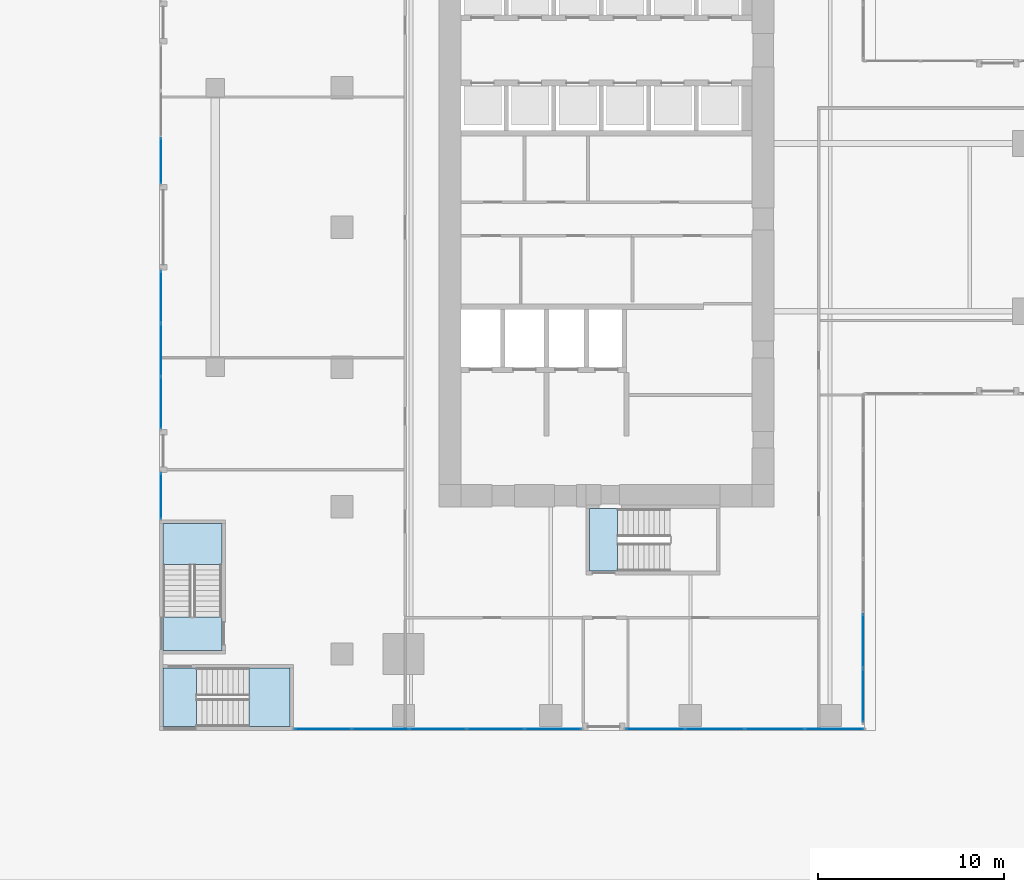
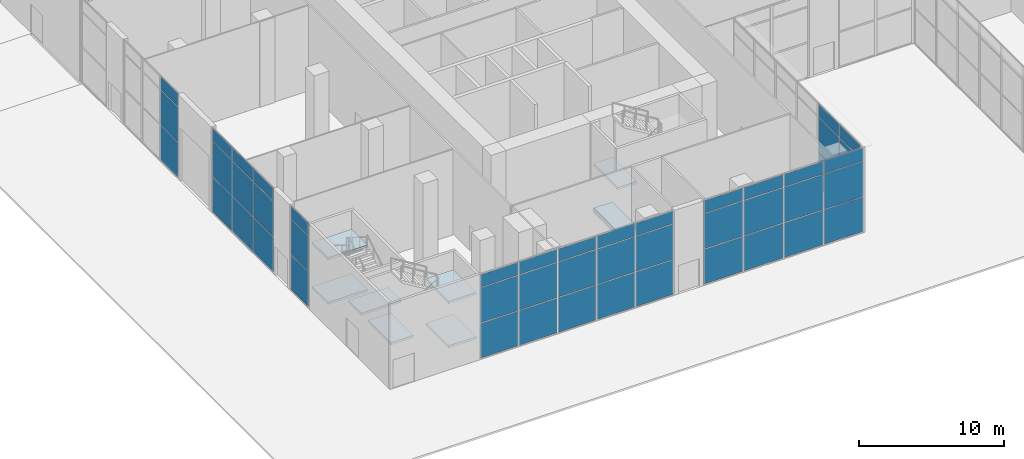
# One storey, part 31 of 52: 48 plates, 8 slabs, 9 elements without a shape of their own.
"""IFC4 building model written with IfcOpenShell, lengths in metres."""

from ifc_helpers import new_model, si_unit, direction, frame, origin, origin_2d, place, context, subcontext, project, spatial, polyline, rectangle, outline, extrude, source, transform, mapped, material, layer, layer_set, type_object, element, aggregate, save


model = new_model("IFC4")

# Units and contexts
model_context = context("Model", 3, precision=1e-05, world=origin(), true_north=direction((0.0, 1.0)))
body_context = subcontext(model_context, "Body", "Model", "MODEL_VIEW")
ifc_project = project(units=[si_unit("LENGTHUNIT", "METRE"), si_unit("AREAUNIT", "SQUARE_METRE"), si_unit("VOLUMEUNIT", "CUBIC_METRE"), si_unit("PLANEANGLEUNIT", "RADIAN"), si_unit("MASSUNIT", "GRAM", prefix="KILO")], contexts=[model_context])

# Site, building, storey
site_placement = place(None, origin())
site = spatial("IfcSite", under=ifc_project, at=site_placement, CompositionType="ELEMENT")
building_placement = place(site_placement, origin())
building = spatial("IfcBuilding", under=site, at=building_placement, Name="Khomas Fold Tower", CompositionType="ELEMENT")
storey_placement = place(building_placement, origin())
storey = spatial("IfcBuildingStorey", under=building, at=storey_placement, Name="L00", CompositionType="ELEMENT", Elevation=0.0)

# Curtain wall, plates
ifc_material_1 = material(Name="Aluminium framed double glazing", Category="aluminium")
curtain_wall_type = type_object("IfcCurtainWallType", Name="Shopfront glazing PD-CW", PredefinedType="NOTDEFINED", material=ifc_material_1)
curtain_wall_1_placement = place(storey_placement, origin())
curtain_wall_1 = element("IfcCurtainWall", 1, at=curtain_wall_1_placement, inside=storey, type_object=curtain_wall_type, Name="Podium shopfront run", PredefinedType="NOTDEFINED")
ifc_material_2 = material(Name="Double glazed unit")
ifc_layer_1 = layer(ifc_material_2, 0.031982421875)
ifc_layer_set_1 = layer_set([ifc_layer_1], Name="Double glazed unit")
plate_type = type_object("IfcPlateType", Name="Shopfront glazing panel PD-CW-P", PredefinedType="CURTAIN_PANEL", material=ifc_layer_set_1)
shared_shape_1 = source(origin(), body_context, "Body", "SweptSolid", [
    extrude(rectangle(XDim=2.4267578125, YDim=0.031982421875, at=origin_2d()), origin(), (0.0, 0.0, 1.0), 2.909912109375),
])
plate_1_placement = place(storey_placement, frame((-8.919921875, 30.5732421875, 0.06005859375), z_axis=(0.0, 0.0, 1.0), x_axis=(0.0, -1.0, 0.0)))
plate_1 = element("IfcPlate", 2, at=plate_1_placement, type_object=plate_type, Name="PD-CW panel 3.1", PredefinedType="CURTAIN_PANEL", context=body_context, shape_type="MappedRepresentation", body=[
    mapped(shared_shape_1, transform((0.0, 0.0, 0.0))),
])
shared_shape_2 = source(origin(), body_context, "Body", "SweptSolid", [
    extrude(rectangle(XDim=2.4267578125, YDim=0.031982421875, at=origin_2d()), origin(), (0.0, 0.0, 1.0), 2.93994140625),
])
plate_2_placement = place(storey_placement, frame((-8.919921875, 30.5732421875, 3.030029296875), z_axis=(0.0, 0.0, 1.0), x_axis=(0.0, -1.0, 0.0)))
plate_2 = element("IfcPlate", 3, at=plate_2_placement, type_object=plate_type, Name="PD-CW panel 3.2", PredefinedType="CURTAIN_PANEL", context=body_context, shape_type="MappedRepresentation", body=[
    mapped(shared_shape_2, transform((0.0, 0.0, 0.0))),
])
shared_shape_3 = source(origin(), body_context, "Body", "SweptSolid", [
    extrude(rectangle(XDim=2.4267578125, YDim=0.031982421875, at=origin_2d()), origin(), (0.0, 0.0, 1.0), 1.06005859375),
])
plate_3_placement = place(storey_placement, frame((-8.919921875, 30.5732421875, 6.030029296875), z_axis=(0.0, 0.0, 1.0), x_axis=(0.0, -1.0, 0.0)))
plate_3 = element("IfcPlate", 4, at=plate_3_placement, type_object=plate_type, Name="PD-CW panel 3.3", PredefinedType="CURTAIN_PANEL", context=body_context, shape_type="MappedRepresentation", body=[
    mapped(shared_shape_3, transform((0.0, 0.0, 0.0))),
])
aggregate(curtain_wall_1, [plate_1, plate_2, plate_3])

curtain_wall_2_placement = place(storey_placement, origin())
curtain_wall_2 = element("IfcCurtainWall", 5, at=curtain_wall_2_placement, inside=storey, type_object=curtain_wall_type, Name="Podium shopfront run", PredefinedType="NOTDEFINED")
shared_shape_4 = source(origin(), body_context, "Body", "SweptSolid", [
    extrude(rectangle(XDim=2.760009765625, YDim=0.031982421875, at=origin_2d()), origin(), (0.0, 0.0, 1.0), 2.909912109375),
])
plate_4_placement = place(storey_placement, frame((-8.919921875, 23.260009765625, 0.06005859375), z_axis=(0.0, 0.0, 1.0), x_axis=(0.0, -1.0, 0.0)))
plate_4 = element("IfcPlate", 6, at=plate_4_placement, type_object=plate_type, Name="PD-CW panel 1.1", PredefinedType="CURTAIN_PANEL", context=body_context, shape_type="MappedRepresentation", body=[
    mapped(shared_shape_4, transform((0.0, 0.0, 0.0))),
])
plate_5_placement = place(storey_placement, frame((-8.919921875, 17.590087890625, 0.06005859375), z_axis=(0.0, 0.0, 1.0), x_axis=(0.0, -1.0, 0.0)))
plate_5 = element("IfcPlate", 7, at=plate_5_placement, type_object=plate_type, Name="PD-CW panel 3.1", PredefinedType="CURTAIN_PANEL", context=body_context, shape_type="MappedRepresentation", body=[
    mapped(shared_shape_4, transform((0.0, 0.0, 0.0))),
])
shared_shape_5 = source(origin(), body_context, "Body", "SweptSolid", [
    extrude(rectangle(XDim=2.760009765625, YDim=0.031982421875, at=origin_2d()), origin(), (0.0, 0.0, 1.0), 2.93994140625),
])
plate_6_placement = place(storey_placement, frame((-8.919921875, 23.260009765625, 3.030029296875), z_axis=(0.0, 0.0, 1.0), x_axis=(0.0, -1.0, 0.0)))
plate_6 = element("IfcPlate", 8, at=plate_6_placement, type_object=plate_type, Name="PD-CW panel 1.2", PredefinedType="CURTAIN_PANEL", context=body_context, shape_type="MappedRepresentation", body=[
    mapped(shared_shape_5, transform((0.0, 0.0, 0.0))),
])
plate_7_placement = place(storey_placement, frame((-8.919921875, 17.590087890625, 3.030029296875), z_axis=(0.0, 0.0, 1.0), x_axis=(0.0, -1.0, 0.0)))
plate_7 = element("IfcPlate", 9, at=plate_7_placement, type_object=plate_type, Name="PD-CW panel 3.2", PredefinedType="CURTAIN_PANEL", context=body_context, shape_type="MappedRepresentation", body=[
    mapped(shared_shape_5, transform((0.0, 0.0, 0.0))),
])
shared_shape_6 = source(origin(), body_context, "Body", "SweptSolid", [
    extrude(rectangle(XDim=2.760009765625, YDim=0.031982421875, at=origin_2d()), origin(), (0.0, 0.0, 1.0), 1.06005859375),
])
plate_8_placement = place(storey_placement, frame((-8.919921875, 23.260009765625, 6.030029296875), z_axis=(0.0, 0.0, 1.0), x_axis=(0.0, -1.0, 0.0)))
plate_8 = element("IfcPlate", 10, at=plate_8_placement, type_object=plate_type, Name="PD-CW panel 1.3", PredefinedType="CURTAIN_PANEL", context=body_context, shape_type="MappedRepresentation", body=[
    mapped(shared_shape_6, transform((0.0, 0.0, 0.0))),
])
plate_9_placement = place(storey_placement, frame((-8.919921875, 17.590087890625, 6.030029296875), z_axis=(0.0, 0.0, 1.0), x_axis=(0.0, -1.0, 0.0)))
plate_9 = element("IfcPlate", 11, at=plate_9_placement, type_object=plate_type, Name="PD-CW panel 3.3", PredefinedType="CURTAIN_PANEL", context=body_context, shape_type="MappedRepresentation", body=[
    mapped(shared_shape_6, transform((0.0, 0.0, 0.0))),
])
shared_shape_7 = source(origin(), body_context, "Body", "SweptSolid", [
    extrude(rectangle(XDim=2.7900390625, YDim=0.031982421875, at=origin_2d()), origin(), (0.0, 0.0, 1.0), 2.909912109375),
])
plate_10_placement = place(storey_placement, frame((-8.919921875, 20.425048828125, 0.06005859375), z_axis=(0.0, 0.0, 1.0), x_axis=(0.0, -1.0, 0.0)))
plate_10 = element("IfcPlate", 12, at=plate_10_placement, type_object=plate_type, Name="PD-CW panel 2.1", PredefinedType="CURTAIN_PANEL", context=body_context, shape_type="MappedRepresentation", body=[
    mapped(shared_shape_7, transform((0.0, 0.0, 0.0))),
])
shared_shape_8 = source(origin(), body_context, "Body", "SweptSolid", [
    extrude(rectangle(XDim=2.7900390625, YDim=0.031982421875, at=origin_2d()), origin(), (0.0, 0.0, 1.0), 2.93994140625),
])
plate_11_placement = place(storey_placement, frame((-8.919921875, 20.425048828125, 3.030029296875), z_axis=(0.0, 0.0, 1.0), x_axis=(0.0, -1.0, 0.0)))
plate_11 = element("IfcPlate", 13, at=plate_11_placement, type_object=plate_type, Name="PD-CW panel 2.2", PredefinedType="CURTAIN_PANEL", context=body_context, shape_type="MappedRepresentation", body=[
    mapped(shared_shape_8, transform((0.0, 0.0, 0.0))),
])
shared_shape_9 = source(origin(), body_context, "Body", "SweptSolid", [
    extrude(rectangle(XDim=2.7900390625, YDim=0.031982421875, at=origin_2d()), origin(), (0.0, 0.0, 1.0), 1.06005859375),
])
plate_12_placement = place(storey_placement, frame((-8.919921875, 20.425048828125, 6.030029296875), z_axis=(0.0, 0.0, 1.0), x_axis=(0.0, -1.0, 0.0)))
plate_12 = element("IfcPlate", 14, at=plate_12_placement, type_object=plate_type, Name="PD-CW panel 2.3", PredefinedType="CURTAIN_PANEL", context=body_context, shape_type="MappedRepresentation", body=[
    mapped(shared_shape_9, transform((0.0, 0.0, 0.0))),
])
aggregate(curtain_wall_2, [plate_4, plate_6, plate_8, plate_10, plate_11, plate_12, plate_5, plate_7, plate_9])

curtain_wall_3_placement = place(storey_placement, origin())
curtain_wall_3 = element("IfcCurtainWall", 15, at=curtain_wall_3_placement, inside=storey, type_object=curtain_wall_type, Name="Podium shopfront run", PredefinedType="NOTDEFINED")
shared_shape_10 = source(origin(), body_context, "Body", "SweptSolid", [
    extrude(rectangle(XDim=2.419921875, YDim=0.031982421875, at=origin_2d()), origin(), (0.0, 0.0, 1.0), 2.909912109375),
])
plate_13_placement = place(storey_placement, frame((-8.919921875, 12.580078125, 0.06005859375), z_axis=(0.0, 0.0, 1.0), x_axis=(0.0, -1.0, 0.0)))
plate_13 = element("IfcPlate", 16, at=plate_13_placement, type_object=plate_type, Name="PD-CW panel 1.1", PredefinedType="CURTAIN_PANEL", context=body_context, shape_type="MappedRepresentation", body=[
    mapped(shared_shape_10, transform((0.0, 0.0, 0.0))),
])
shared_shape_11 = source(origin(), body_context, "Body", "SweptSolid", [
    extrude(rectangle(XDim=2.419921875, YDim=0.031982421875, at=origin_2d()), origin(), (0.0, 0.0, 1.0), 2.93994140625),
])
plate_14_placement = place(storey_placement, frame((-8.919921875, 12.580078125, 3.030029296875), z_axis=(0.0, 0.0, 1.0), x_axis=(0.0, -1.0, 0.0)))
plate_14 = element("IfcPlate", 17, at=plate_14_placement, type_object=plate_type, Name="PD-CW panel 1.2", PredefinedType="CURTAIN_PANEL", context=body_context, shape_type="MappedRepresentation", body=[
    mapped(shared_shape_11, transform((0.0, 0.0, 0.0))),
])
shared_shape_12 = source(origin(), body_context, "Body", "SweptSolid", [
    extrude(rectangle(XDim=2.419921875, YDim=0.031982421875, at=origin_2d()), origin(), (0.0, 0.0, 1.0), 1.06005859375),
])
plate_15_placement = place(storey_placement, frame((-8.919921875, 12.580078125, 6.030029296875), z_axis=(0.0, 0.0, 1.0), x_axis=(0.0, -1.0, 0.0)))
plate_15 = element("IfcPlate", 18, at=plate_15_placement, type_object=plate_type, Name="PD-CW panel 1.3", PredefinedType="CURTAIN_PANEL", context=body_context, shape_type="MappedRepresentation", body=[
    mapped(shared_shape_12, transform((0.0, 0.0, 0.0))),
])
aggregate(curtain_wall_3, [plate_13, plate_14, plate_15])

curtain_wall_4_placement = place(storey_placement, origin())
curtain_wall_4 = element("IfcCurtainWall", 19, at=curtain_wall_4_placement, inside=storey, type_object=curtain_wall_type, Name="Podium shopfront run", PredefinedType="NOTDEFINED")
shared_shape_13 = source(origin(), body_context, "Body", "SweptSolid", [
    extrude(rectangle(XDim=3.008056640625, YDim=0.031982421875, at=origin_2d()), origin(), (0.0, 0.0, 1.0), 2.909912109375),
])
plate_16_placement = place(storey_placement, frame((-0.22607421875, 0.080078125, 0.06005859375), z_axis=(0.0, 0.0, 1.0), x_axis=(1.0, 0.0, 0.0)))
plate_16 = element("IfcPlate", 20, at=plate_16_placement, type_object=plate_type, Name="PD-CW panel 1.1", PredefinedType="CURTAIN_PANEL", context=body_context, shape_type="MappedRepresentation", body=[
    mapped(shared_shape_13, transform((0.0, 0.0, 0.0))),
])
plate_17_placement = place(storey_placement, frame((12.135986328125, 0.080078125, 0.06005859375), z_axis=(0.0, 0.0, 1.0), x_axis=(1.0, 0.0, 0.0)))
plate_17 = element("IfcPlate", 21, at=plate_17_placement, type_object=plate_type, Name="PD-CW panel 5.1", PredefinedType="CURTAIN_PANEL", context=body_context, shape_type="MappedRepresentation", body=[
    mapped(shared_shape_13, transform((0.0, 0.0, 0.0))),
])
shared_shape_14 = source(origin(), body_context, "Body", "SweptSolid", [
    extrude(rectangle(XDim=3.008056640625, YDim=0.031982421875, at=origin_2d()), origin(), (0.0, 0.0, 1.0), 2.93994140625),
])
plate_18_placement = place(storey_placement, frame((-0.22607421875, 0.080078125, 3.030029296875), z_axis=(0.0, 0.0, 1.0), x_axis=(1.0, 0.0, 0.0)))
plate_18 = element("IfcPlate", 22, at=plate_18_placement, type_object=plate_type, Name="PD-CW panel 1.2", PredefinedType="CURTAIN_PANEL", context=body_context, shape_type="MappedRepresentation", body=[
    mapped(shared_shape_14, transform((0.0, 0.0, 0.0))),
])
plate_19_placement = place(storey_placement, frame((12.135986328125, 0.080078125, 3.030029296875), z_axis=(0.0, 0.0, 1.0), x_axis=(1.0, 0.0, 0.0)))
plate_19 = element("IfcPlate", 23, at=plate_19_placement, type_object=plate_type, Name="PD-CW panel 5.2", PredefinedType="CURTAIN_PANEL", context=body_context, shape_type="MappedRepresentation", body=[
    mapped(shared_shape_14, transform((0.0, 0.0, 0.0))),
])
shared_shape_15 = source(origin(), body_context, "Body", "SweptSolid", [
    extrude(rectangle(XDim=3.008056640625, YDim=0.031982421875, at=origin_2d()), origin(), (0.0, 0.0, 1.0), 1.06005859375),
])
plate_20_placement = place(storey_placement, frame((-0.22607421875, 0.080078125, 6.030029296875), z_axis=(0.0, 0.0, 1.0), x_axis=(1.0, 0.0, 0.0)))
plate_20 = element("IfcPlate", 24, at=plate_20_placement, type_object=plate_type, Name="PD-CW panel 1.3", PredefinedType="CURTAIN_PANEL", context=body_context, shape_type="MappedRepresentation", body=[
    mapped(shared_shape_15, transform((0.0, 0.0, 0.0))),
])
plate_21_placement = place(storey_placement, frame((12.135986328125, 0.080078125, 6.030029296875), z_axis=(0.0, 0.0, 1.0), x_axis=(1.0, 0.0, 0.0)))
plate_21 = element("IfcPlate", 25, at=plate_21_placement, type_object=plate_type, Name="PD-CW panel 5.3", PredefinedType="CURTAIN_PANEL", context=body_context, shape_type="MappedRepresentation", body=[
    mapped(shared_shape_15, transform((0.0, 0.0, 0.0))),
])
shared_shape_16 = source(origin(), body_context, "Body", "SweptSolid", [
    extrude(rectangle(XDim=3.0380859375, YDim=0.031982421875, at=origin_2d()), origin(), (0.0, 0.0, 1.0), 2.909912109375),
])
plate_22_placement = place(storey_placement, frame((2.85693359375, 0.080078125, 0.06005859375), z_axis=(0.0, 0.0, 1.0), x_axis=(1.0, 0.0, 0.0)))
plate_22 = element("IfcPlate", 26, at=plate_22_placement, type_object=plate_type, Name="PD-CW panel 2.1", PredefinedType="CURTAIN_PANEL", context=body_context, shape_type="MappedRepresentation", body=[
    mapped(shared_shape_16, transform((0.0, 0.0, 0.0))),
])
plate_23_placement = place(storey_placement, frame((5.955078125, 0.080078125, 0.06005859375), z_axis=(0.0, 0.0, 1.0), x_axis=(1.0, 0.0, 0.0)))
plate_23 = element("IfcPlate", 27, at=plate_23_placement, type_object=plate_type, Name="PD-CW panel 3.1", PredefinedType="CURTAIN_PANEL", context=body_context, shape_type="MappedRepresentation", body=[
    mapped(shared_shape_16, transform((0.0, 0.0, 0.0))),
])
plate_24_placement = place(storey_placement, frame((9.052978515625, 0.080078125, 0.06005859375), z_axis=(0.0, 0.0, 1.0), x_axis=(1.0, 0.0, 0.0)))
plate_24 = element("IfcPlate", 28, at=plate_24_placement, type_object=plate_type, Name="PD-CW panel 4.1", PredefinedType="CURTAIN_PANEL", context=body_context, shape_type="MappedRepresentation", body=[
    mapped(shared_shape_16, transform((0.0, 0.0, 0.0))),
])
shared_shape_17 = source(origin(), body_context, "Body", "SweptSolid", [
    extrude(rectangle(XDim=3.0380859375, YDim=0.031982421875, at=origin_2d()), origin(), (0.0, 0.0, 1.0), 2.93994140625),
])
plate_25_placement = place(storey_placement, frame((2.85693359375, 0.080078125, 3.030029296875), z_axis=(0.0, 0.0, 1.0), x_axis=(1.0, 0.0, 0.0)))
plate_25 = element("IfcPlate", 29, at=plate_25_placement, type_object=plate_type, Name="PD-CW panel 2.2", PredefinedType="CURTAIN_PANEL", context=body_context, shape_type="MappedRepresentation", body=[
    mapped(shared_shape_17, transform((0.0, 0.0, 0.0))),
])
plate_26_placement = place(storey_placement, frame((5.955078125, 0.080078125, 3.030029296875), z_axis=(0.0, 0.0, 1.0), x_axis=(1.0, 0.0, 0.0)))
plate_26 = element("IfcPlate", 30, at=plate_26_placement, type_object=plate_type, Name="PD-CW panel 3.2", PredefinedType="CURTAIN_PANEL", context=body_context, shape_type="MappedRepresentation", body=[
    mapped(shared_shape_17, transform((0.0, 0.0, 0.0))),
])
plate_27_placement = place(storey_placement, frame((9.052978515625, 0.080078125, 3.030029296875), z_axis=(0.0, 0.0, 1.0), x_axis=(1.0, 0.0, 0.0)))
plate_27 = element("IfcPlate", 31, at=plate_27_placement, type_object=plate_type, Name="PD-CW panel 4.2", PredefinedType="CURTAIN_PANEL", context=body_context, shape_type="MappedRepresentation", body=[
    mapped(shared_shape_17, transform((0.0, 0.0, 0.0))),
])
shared_shape_18 = source(origin(), body_context, "Body", "SweptSolid", [
    extrude(rectangle(XDim=3.0380859375, YDim=0.031982421875, at=origin_2d()), origin(), (0.0, 0.0, 1.0), 1.06005859375),
])
plate_28_placement = place(storey_placement, frame((2.85693359375, 0.080078125, 6.030029296875), z_axis=(0.0, 0.0, 1.0), x_axis=(1.0, 0.0, 0.0)))
plate_28 = element("IfcPlate", 32, at=plate_28_placement, type_object=plate_type, Name="PD-CW panel 2.3", PredefinedType="CURTAIN_PANEL", context=body_context, shape_type="MappedRepresentation", body=[
    mapped(shared_shape_18, transform((0.0, 0.0, 0.0))),
])
plate_29_placement = place(storey_placement, frame((5.955078125, 0.080078125, 6.030029296875), z_axis=(0.0, 0.0, 1.0), x_axis=(1.0, 0.0, 0.0)))
plate_29 = element("IfcPlate", 33, at=plate_29_placement, type_object=plate_type, Name="PD-CW panel 3.3", PredefinedType="CURTAIN_PANEL", context=body_context, shape_type="MappedRepresentation", body=[
    mapped(shared_shape_18, transform((0.0, 0.0, 0.0))),
])
plate_30_placement = place(storey_placement, frame((9.052978515625, 0.080078125, 6.030029296875), z_axis=(0.0, 0.0, 1.0), x_axis=(1.0, 0.0, 0.0)))
plate_30 = element("IfcPlate", 34, at=plate_30_placement, type_object=plate_type, Name="PD-CW panel 4.3", PredefinedType="CURTAIN_PANEL", context=body_context, shape_type="MappedRepresentation", body=[
    mapped(shared_shape_18, transform((0.0, 0.0, 0.0))),
])
aggregate(curtain_wall_4, [plate_16, plate_18, plate_20, plate_22, plate_25, plate_28, plate_23, plate_26, plate_29, plate_24, plate_27, plate_30, plate_17, plate_19, plate_21])

curtain_wall_5_placement = place(storey_placement, origin())
curtain_wall_5 = element("IfcCurtainWall", 35, at=curtain_wall_5_placement, inside=storey, type_object=curtain_wall_type, Name="Podium shopfront run", PredefinedType="NOTDEFINED")
shared_shape_19 = source(origin(), body_context, "Body", "SweptSolid", [
    extrude(rectangle(XDim=3.12255859375, YDim=0.031982421875, at=origin_2d()), origin(), (0.0, 0.0, 1.0), 2.909912109375),
])
plate_31_placement = place(storey_placement, frame((17.621337890625, 0.080078125, 0.06005859375), z_axis=(0.0, 0.0, 1.0), x_axis=(1.0, 0.0, 0.0)))
plate_31 = element("IfcPlate", 36, at=plate_31_placement, type_object=plate_type, Name="PD-CW panel 1.1", PredefinedType="CURTAIN_PANEL", context=body_context, shape_type="MappedRepresentation", body=[
    mapped(shared_shape_19, transform((0.0, 0.0, 0.0))),
])
plate_32_placement = place(storey_placement, frame((27.228759765625, 0.080078125, 0.06005859375), z_axis=(0.0, 0.0, 1.0), x_axis=(1.0, 0.0, 0.0)))
plate_32 = element("IfcPlate", 37, at=plate_32_placement, type_object=plate_type, Name="PD-CW panel 4.1", PredefinedType="CURTAIN_PANEL", context=body_context, shape_type="MappedRepresentation", body=[
    mapped(shared_shape_19, transform((0.0, 0.0, 0.0))),
])
shared_shape_20 = source(origin(), body_context, "Body", "SweptSolid", [
    extrude(rectangle(XDim=3.12255859375, YDim=0.031982421875, at=origin_2d()), origin(), (0.0, 0.0, 1.0), 2.93994140625),
])
plate_33_placement = place(storey_placement, frame((17.621337890625, 0.080078125, 3.030029296875), z_axis=(0.0, 0.0, 1.0), x_axis=(1.0, 0.0, 0.0)))
plate_33 = element("IfcPlate", 38, at=plate_33_placement, type_object=plate_type, Name="PD-CW panel 1.2", PredefinedType="CURTAIN_PANEL", context=body_context, shape_type="MappedRepresentation", body=[
    mapped(shared_shape_20, transform((0.0, 0.0, 0.0))),
])
plate_34_placement = place(storey_placement, frame((27.228759765625, 0.080078125, 3.030029296875), z_axis=(0.0, 0.0, 1.0), x_axis=(1.0, 0.0, 0.0)))
plate_34 = element("IfcPlate", 39, at=plate_34_placement, type_object=plate_type, Name="PD-CW panel 4.2", PredefinedType="CURTAIN_PANEL", context=body_context, shape_type="MappedRepresentation", body=[
    mapped(shared_shape_20, transform((0.0, 0.0, 0.0))),
])
shared_shape_21 = source(origin(), body_context, "Body", "SweptSolid", [
    extrude(rectangle(XDim=3.12255859375, YDim=0.031982421875, at=origin_2d()), origin(), (0.0, 0.0, 1.0), 1.06005859375),
])
plate_35_placement = place(storey_placement, frame((17.621337890625, 0.080078125, 6.030029296875), z_axis=(0.0, 0.0, 1.0), x_axis=(1.0, 0.0, 0.0)))
plate_35 = element("IfcPlate", 40, at=plate_35_placement, type_object=plate_type, Name="PD-CW panel 1.3", PredefinedType="CURTAIN_PANEL", context=body_context, shape_type="MappedRepresentation", body=[
    mapped(shared_shape_21, transform((0.0, 0.0, 0.0))),
])
plate_36_placement = place(storey_placement, frame((27.228759765625, 0.080078125, 6.030029296875), z_axis=(0.0, 0.0, 1.0), x_axis=(1.0, 0.0, 0.0)))
plate_36 = element("IfcPlate", 41, at=plate_36_placement, type_object=plate_type, Name="PD-CW panel 4.3", PredefinedType="CURTAIN_PANEL", context=body_context, shape_type="MappedRepresentation", body=[
    mapped(shared_shape_21, transform((0.0, 0.0, 0.0))),
])
shared_shape_22 = source(origin(), body_context, "Body", "SweptSolid", [
    extrude(rectangle(XDim=3.152587890625, YDim=0.031982421875, at=origin_2d()), origin(), (0.0, 0.0, 1.0), 2.909912109375),
])
plate_37_placement = place(storey_placement, frame((20.81884765625, 0.080078125, 0.06005859375), z_axis=(0.0, 0.0, 1.0), x_axis=(1.0, 0.0, 0.0)))
plate_37 = element("IfcPlate", 42, at=plate_37_placement, type_object=plate_type, Name="PD-CW panel 2.1", PredefinedType="CURTAIN_PANEL", context=body_context, shape_type="MappedRepresentation", body=[
    mapped(shared_shape_22, transform((0.0, 0.0, 0.0))),
])
plate_38_placement = place(storey_placement, frame((24.03125, 0.080078125, 0.06005859375), z_axis=(0.0, 0.0, 1.0), x_axis=(1.0, 0.0, 0.0)))
plate_38 = element("IfcPlate", 43, at=plate_38_placement, type_object=plate_type, Name="PD-CW panel 3.1", PredefinedType="CURTAIN_PANEL", context=body_context, shape_type="MappedRepresentation", body=[
    mapped(shared_shape_22, transform((0.0, 0.0, 0.0))),
])
shared_shape_23 = source(origin(), body_context, "Body", "SweptSolid", [
    extrude(rectangle(XDim=3.152587890625, YDim=0.031982421875, at=origin_2d()), origin(), (0.0, 0.0, 1.0), 2.93994140625),
])
plate_39_placement = place(storey_placement, frame((20.81884765625, 0.080078125, 3.030029296875), z_axis=(0.0, 0.0, 1.0), x_axis=(1.0, 0.0, 0.0)))
plate_39 = element("IfcPlate", 44, at=plate_39_placement, type_object=plate_type, Name="PD-CW panel 2.2", PredefinedType="CURTAIN_PANEL", context=body_context, shape_type="MappedRepresentation", body=[
    mapped(shared_shape_23, transform((0.0, 0.0, 0.0))),
])
plate_40_placement = place(storey_placement, frame((24.03125, 0.080078125, 3.030029296875), z_axis=(0.0, 0.0, 1.0), x_axis=(1.0, 0.0, 0.0)))
plate_40 = element("IfcPlate", 45, at=plate_40_placement, type_object=plate_type, Name="PD-CW panel 3.2", PredefinedType="CURTAIN_PANEL", context=body_context, shape_type="MappedRepresentation", body=[
    mapped(shared_shape_23, transform((0.0, 0.0, 0.0))),
])
shared_shape_24 = source(origin(), body_context, "Body", "SweptSolid", [
    extrude(rectangle(XDim=3.152587890625, YDim=0.031982421875, at=origin_2d()), origin(), (0.0, 0.0, 1.0), 1.06005859375),
])
plate_41_placement = place(storey_placement, frame((20.81884765625, 0.080078125, 6.030029296875), z_axis=(0.0, 0.0, 1.0), x_axis=(1.0, 0.0, 0.0)))
plate_41 = element("IfcPlate", 46, at=plate_41_placement, type_object=plate_type, Name="PD-CW panel 2.3", PredefinedType="CURTAIN_PANEL", context=body_context, shape_type="MappedRepresentation", body=[
    mapped(shared_shape_24, transform((0.0, 0.0, 0.0))),
])
plate_42_placement = place(storey_placement, frame((24.03125, 0.080078125, 6.030029296875), z_axis=(0.0, 0.0, 1.0), x_axis=(1.0, 0.0, 0.0)))
plate_42 = element("IfcPlate", 47, at=plate_42_placement, type_object=plate_type, Name="PD-CW panel 3.3", PredefinedType="CURTAIN_PANEL", context=body_context, shape_type="MappedRepresentation", body=[
    mapped(shared_shape_24, transform((0.0, 0.0, 0.0))),
])
aggregate(curtain_wall_5, [plate_31, plate_33, plate_35, plate_37, plate_39, plate_41, plate_38, plate_40, plate_42, plate_32, plate_34, plate_36])

curtain_wall_6_placement = place(storey_placement, origin())
curtain_wall_6 = element("IfcCurtainWall", 48, at=curtain_wall_6_placement, inside=storey, type_object=curtain_wall_type, Name="Podium shopfront run", PredefinedType="NOTDEFINED")
shared_shape_25 = source(origin(), body_context, "Body", "SweptSolid", [
    extrude(rectangle(XDim=2.84326171875, YDim=0.031982421875, at=origin_2d()), origin(), (0.0, 0.0, 1.0), 2.909912109375),
])
plate_43_placement = place(storey_placement, frame((28.77001953125, 1.881591796875, 0.06005859375), z_axis=(0.0, 0.0, 1.0), x_axis=(0.0, 1.0, 0.0)))
plate_43 = element("IfcPlate", 49, at=plate_43_placement, type_object=plate_type, Name="PD-CW panel 1.1", PredefinedType="CURTAIN_PANEL", context=body_context, shape_type="MappedRepresentation", body=[
    mapped(shared_shape_25, transform((0.0, 0.0, 0.0))),
])
shared_shape_26 = source(origin(), body_context, "Body", "SweptSolid", [
    extrude(rectangle(XDim=2.84326171875, YDim=0.031982421875, at=origin_2d()), origin(), (0.0, 0.0, 1.0), 2.93994140625),
])
plate_44_placement = place(storey_placement, frame((28.77001953125, 1.881591796875, 3.030029296875), z_axis=(0.0, 0.0, 1.0), x_axis=(0.0, 1.0, 0.0)))
plate_44 = element("IfcPlate", 50, at=plate_44_placement, type_object=plate_type, Name="PD-CW panel 1.2", PredefinedType="CURTAIN_PANEL", context=body_context, shape_type="MappedRepresentation", body=[
    mapped(shared_shape_26, transform((0.0, 0.0, 0.0))),
])
shared_shape_27 = source(origin(), body_context, "Body", "SweptSolid", [
    extrude(rectangle(XDim=2.84326171875, YDim=0.031982421875, at=origin_2d()), origin(), (0.0, 0.0, 1.0), 1.06005859375),
])
plate_45_placement = place(storey_placement, frame((28.77001953125, 1.881591796875, 6.030029296875), z_axis=(0.0, 0.0, 1.0), x_axis=(0.0, 1.0, 0.0)))
plate_45 = element("IfcPlate", 51, at=plate_45_placement, type_object=plate_type, Name="PD-CW panel 1.3", PredefinedType="CURTAIN_PANEL", context=body_context, shape_type="MappedRepresentation", body=[
    mapped(shared_shape_27, transform((0.0, 0.0, 0.0))),
])
shared_shape_28 = source(origin(), body_context, "Body", "SweptSolid", [
    extrude(rectangle(XDim=2.873291015625, YDim=0.031982421875, at=origin_2d()), origin(), (0.0, 0.0, 1.0), 2.909912109375),
])
plate_46_placement = place(storey_placement, frame((28.77001953125, 4.800048828125, 0.06005859375), z_axis=(0.0, 0.0, 1.0), x_axis=(0.0, 1.0, 0.0)))
plate_46 = element("IfcPlate", 52, at=plate_46_placement, type_object=plate_type, Name="PD-CW panel 2.1", PredefinedType="CURTAIN_PANEL", context=body_context, shape_type="MappedRepresentation", body=[
    mapped(shared_shape_28, transform((0.0, 0.0, 0.0))),
])
shared_shape_29 = source(origin(), body_context, "Body", "SweptSolid", [
    extrude(rectangle(XDim=2.873291015625, YDim=0.031982421875, at=origin_2d()), origin(), (0.0, 0.0, 1.0), 2.93994140625),
])
plate_47_placement = place(storey_placement, frame((28.77001953125, 4.800048828125, 3.030029296875), z_axis=(0.0, 0.0, 1.0), x_axis=(0.0, 1.0, 0.0)))
plate_47 = element("IfcPlate", 53, at=plate_47_placement, type_object=plate_type, Name="PD-CW panel 2.2", PredefinedType="CURTAIN_PANEL", context=body_context, shape_type="MappedRepresentation", body=[
    mapped(shared_shape_29, transform((0.0, 0.0, 0.0))),
])
shared_shape_30 = source(origin(), body_context, "Body", "SweptSolid", [
    extrude(rectangle(XDim=2.873291015625, YDim=0.031982421875, at=origin_2d()), origin(), (0.0, 0.0, 1.0), 1.06005859375),
])
plate_48_placement = place(storey_placement, frame((28.77001953125, 4.800048828125, 6.030029296875), z_axis=(0.0, 0.0, 1.0), x_axis=(0.0, 1.0, 0.0)))
plate_48 = element("IfcPlate", 54, at=plate_48_placement, type_object=plate_type, Name="PD-CW panel 2.3", PredefinedType="CURTAIN_PANEL", context=body_context, shape_type="MappedRepresentation", body=[
    mapped(shared_shape_30, transform((0.0, 0.0, 0.0))),
])
aggregate(curtain_wall_6, [plate_43, plate_44, plate_45, plate_46, plate_47, plate_48])

# Stair, slab
ifc_material_3 = material(Name="Concrete C40/50", Category="concrete")
stair_type_1 = type_object("IfcStairType", Name="Stair ST2", PredefinedType="HALF_TURN_STAIR", material=ifc_material_3)
stair_1_placement = place(storey_placement, origin())
stair_1 = element("IfcStair", 55, at=stair_1_placement, inside=storey, type_object=stair_type_1, Name="L00 ST2", PredefinedType="HALF_TURN_STAIR")
ifc_material_4 = material(Name="Concrete C40/50", Category="concrete")
ifc_layer_2 = layer(ifc_material_4, 0.199951171875)
ifc_layer_set_2 = layer_set([ifc_layer_2], Name="Concrete C40/50")
slab_type_1 = type_object("IfcSlabType", Name="Stair landing 200", PredefinedType="LANDING", material=ifc_layer_set_2)
shared_shape_31 = source(origin(), body_context, "Body", "SweptSolid", [
    extrude(outline(polyline([(14.10009765625, 8.550048828125), (15.60009765625, 8.550048828125), (15.60009765625, 11.89990234375), (14.10009765625, 11.89990234375), (14.10009765625, 8.550048828125)])), origin(), (0.0, 0.0, 1.0), 0.199951171875),
])
slab_1_placement = place(storey_placement, frame((0.0, 0.0, 3.550048828125)))
slab_1 = element("IfcSlab", 56, at=slab_1_placement, type_object=slab_type_1, Name="ST2 landing 2", PredefinedType="LANDING", context=body_context, shape_type="MappedRepresentation", body=[
    mapped(shared_shape_31, transform((0.0, 0.0, 0.0))),
])
aggregate(stair_1, [slab_1])

# Slab
ifc_material_5 = material(Name="Concrete C40/50", Category="concrete")
ifc_layer_3 = layer(ifc_material_5, 0.35009765625)
ifc_layer_set_3 = layer_set([ifc_layer_3], Name="Concrete C40/50")
slab_type_2 = type_object("IfcSlabType", Name="Stair floor landing 350", PredefinedType="LANDING", material=ifc_layer_set_3)
shared_shape_32 = source(origin(), body_context, "Body", "SweptSolid", [
    extrude(outline(polyline([(15.60009765625, 8.550048828125), (14.10009765625, 8.550048828125), (14.10009765625, 11.89990234375), (15.60009765625, 11.89990234375), (15.60009765625, 8.550048828125)])), origin(), (0.0, 0.0, 1.0), 0.35009765625),
])
slab_2_placement = place(storey_placement, frame((0.0, 0.0, -0.35009765625)))
element("IfcSlab", 57, at=slab_2_placement, inside=storey, type_object=slab_type_2, Name="ST2 floor landing", PredefinedType="LANDING", context=body_context, shape_type="MappedRepresentation", body=[
    mapped(shared_shape_32, transform((0.0, 0.0, 0.0))),
])

# Stair, slabs
ifc_material_6 = material(Name="Concrete C40/50", Category="concrete")
stair_type_2 = type_object("IfcStairType", Name="Stair PS1", PredefinedType="HALF_TURN_STAIR", material=ifc_material_6)
stair_2_placement = place(storey_placement, origin())
stair_2 = element("IfcStair", 58, at=stair_2_placement, inside=storey, type_object=stair_type_2, Name="L00 PS1", PredefinedType="HALF_TURN_STAIR")
shared_shape_33 = source(origin(), body_context, "Body", "SweptSolid", [
    extrude(outline(polyline([(-4.199951171875, 0.199951171875), (-2.0, 0.199951171875), (-2.0, 3.35009765625), (-4.199951171875, 3.35009765625), (-4.199951171875, 0.199951171875)])), origin(), (0.0, 0.0, 1.0), 0.199951171875),
])
slab_3_placement = place(storey_placement, frame((0.0, 0.0, 1.675048828125)))
slab_3 = element("IfcSlab", 59, at=slab_3_placement, type_object=slab_type_1, Name="PS1 landing 1", PredefinedType="LANDING", context=body_context, shape_type="MappedRepresentation", body=[
    mapped(shared_shape_33, transform((0.0, 0.0, 0.0))),
])
slab_4_placement = place(storey_placement, frame((0.0, 0.0, 5.425048828125)))
slab_4 = element("IfcSlab", 60, at=slab_4_placement, type_object=slab_type_1, Name="PS1 landing 3", PredefinedType="LANDING", context=body_context, shape_type="MappedRepresentation", body=[
    mapped(shared_shape_33, transform((0.0, 0.0, 0.0))),
])
shared_shape_34 = source(origin(), body_context, "Body", "SweptSolid", [
    extrude(outline(polyline([(-8.800048828125, 0.199951171875), (-7.0, 0.199951171875), (-7.0, 3.35009765625), (-8.800048828125, 3.35009765625), (-8.800048828125, 0.199951171875)])), origin(), (0.0, 0.0, 1.0), 0.199951171875),
])
slab_5_placement = place(storey_placement, frame((0.0, 0.0, 3.550048828125)))
slab_5 = element("IfcSlab", 61, at=slab_5_placement, type_object=slab_type_1, Name="PS1 landing 2", PredefinedType="LANDING", context=body_context, shape_type="MappedRepresentation", body=[
    mapped(shared_shape_34, transform((0.0, 0.0, 0.0))),
])
aggregate(stair_2, [slab_3, slab_5, slab_4])

ifc_material_7 = material(Name="Concrete C40/50", Category="concrete")
stair_type_3 = type_object("IfcStairType", Name="Stair PS2", PredefinedType="HALF_TURN_STAIR", material=ifc_material_7)
stair_3_placement = place(storey_placement, origin())
stair_3 = element("IfcStair", 62, at=stair_3_placement, inside=storey, type_object=stair_type_3, Name="L00 PS2", PredefinedType="HALF_TURN_STAIR")
shared_shape_35 = source(origin(), body_context, "Body", "SweptSolid", [
    extrude(outline(polyline([(-5.64990234375, 8.89990234375), (-5.64990234375, 11.10009765625), (-8.800048828125, 11.10009765625), (-8.800048828125, 8.89990234375), (-5.64990234375, 8.89990234375)])), origin(), (0.0, 0.0, 1.0), 0.199951171875),
])
slab_6_placement = place(storey_placement, frame((0.0, 0.0, 1.675048828125)))
slab_6 = element("IfcSlab", 63, at=slab_6_placement, type_object=slab_type_1, Name="PS2 landing 1", PredefinedType="LANDING", context=body_context, shape_type="MappedRepresentation", body=[
    mapped(shared_shape_35, transform((0.0, 0.0, 0.0))),
])
slab_7_placement = place(storey_placement, frame((0.0, 0.0, 5.425048828125)))
slab_7 = element("IfcSlab", 64, at=slab_7_placement, type_object=slab_type_1, Name="PS2 landing 3", PredefinedType="LANDING", context=body_context, shape_type="MappedRepresentation", body=[
    mapped(shared_shape_35, transform((0.0, 0.0, 0.0))),
])
shared_shape_36 = source(origin(), body_context, "Body", "SweptSolid", [
    extrude(outline(polyline([(-5.64990234375, 4.300048828125), (-5.64990234375, 6.10009765625), (-8.800048828125, 6.10009765625), (-8.800048828125, 4.300048828125), (-5.64990234375, 4.300048828125)])), origin(), (0.0, 0.0, 1.0), 0.199951171875),
])
slab_8_placement = place(storey_placement, frame((0.0, 0.0, 3.550048828125)))
slab_8 = element("IfcSlab", 65, at=slab_8_placement, type_object=slab_type_1, Name="PS2 landing 2", PredefinedType="LANDING", context=body_context, shape_type="MappedRepresentation", body=[
    mapped(shared_shape_36, transform((0.0, 0.0, 0.0))),
])
aggregate(stair_3, [slab_6, slab_8, slab_7])

save(model, "model.ifc")
